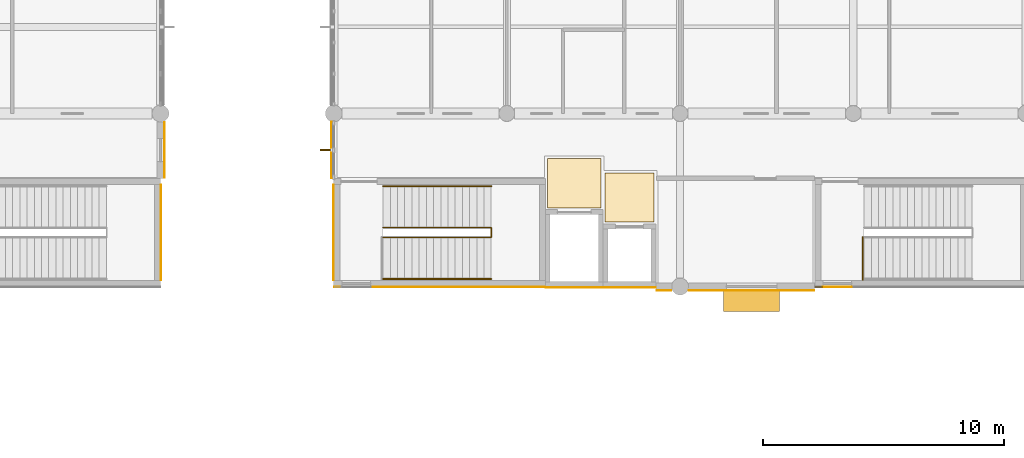
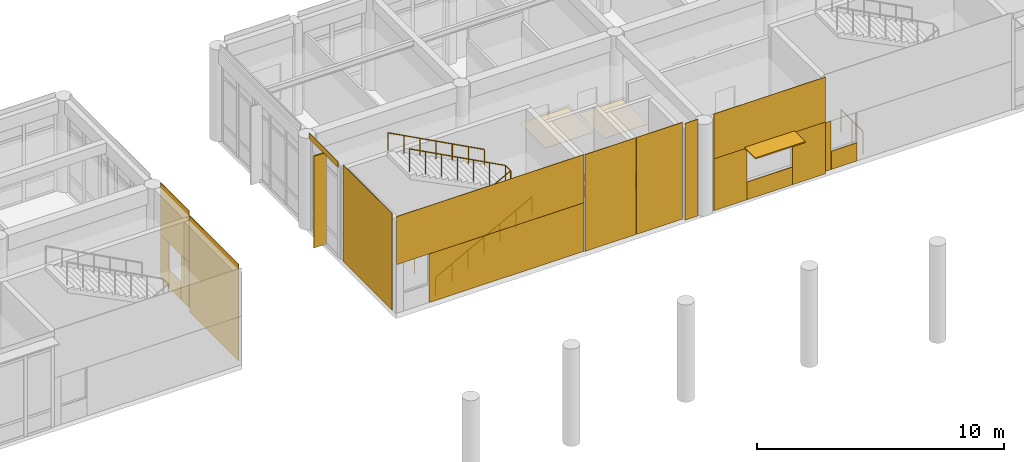
# One storey, part 84 of 92: 22 coverings, 4 railings, 2 shading devices.
"""IFC4 building model written with IfcOpenShell, lengths in metres."""

from ifc_helpers import new_model, si_unit, direction, frame, origin, origin_2d, place, context, subcontext, project, spatial, polyline, rectangle, circle, outline, extrude, material, layer, layer_set, type_object, element, save


model = new_model("IFC4")

# Units and contexts
model_context = context("Model", 3, precision=1e-05, world=origin(), true_north=direction((0.0, 1.0)))
body_context = subcontext(model_context, "Body", "Model", "MODEL_VIEW")
ifc_project = project(units=[si_unit("LENGTHUNIT", "METRE"), si_unit("AREAUNIT", "SQUARE_METRE"), si_unit("VOLUMEUNIT", "CUBIC_METRE"), si_unit("PLANEANGLEUNIT", "RADIAN"), si_unit("MASSUNIT", "GRAM", prefix="KILO")], contexts=[model_context])

# Site, building, storey
site_placement = place(None, origin())
site = spatial("IfcSite", under=ifc_project, at=site_placement, CompositionType="ELEMENT")
building_placement = place(site_placement, origin())
building = spatial("IfcBuilding", under=site, at=building_placement, Name="Namkhue Oval Health Centre", CompositionType="ELEMENT")
storey_placement = place(building_placement, frame((0.0, 0.0, 4.800048828125)))
storey = spatial("IfcBuildingStorey", under=building, at=storey_placement, Name="L01", CompositionType="ELEMENT", Elevation=4.800048828125)

# Coverings
ifc_material_1 = material(Name="Acoustic mineral-fibre cleanroom ceiling", Category="gypsum")
ifc_layer_1 = layer(ifc_material_1, 0.02001953125)
ifc_layer_set_1 = layer_set([ifc_layer_1], Name="Acoustic mineral-fibre cleanroom ceiling")
covering_type_1 = type_object("IfcCoveringType", Name="ACOUSTIC CLEANROOM CEILING 20", PredefinedType="CEILING", material=ifc_layer_set_1)
covering_1_placement = place(storey_placement, frame((0.0, 0.0, 3.050048828125)))
element("IfcCovering", 1, at=covering_1_placement, inside=storey, type_object=covering_type_1, Name="Acoustic Ceiling L01-LL3 Lift Lobby LF-03", PredefinedType="CEILING", context=body_context, shape_type="SweptSolid", body=[
    extrude(outline(polyline([(102.47998046875, 93.280029296875), (102.47998046875, 95.320068359375), (104.719970703125, 95.320068359375), (104.719970703125, 93.280029296875), (102.47998046875, 93.280029296875)])), origin(), (0.0, 0.0, 1.0), 0.02001953125),
])
covering_2_placement = place(storey_placement, frame((0.0, 0.0, 3.050048828125)))
element("IfcCovering", 2, at=covering_2_placement, inside=storey, type_object=covering_type_1, Name="Acoustic Ceiling L01-LL4 Lift Lobby LF-04", PredefinedType="CEILING", context=body_context, shape_type="SweptSolid", body=[
    extrude(outline(polyline([(104.8798828125, 92.679931640625), (104.8798828125, 94.719970703125), (106.919921875, 94.719970703125), (106.919921875, 92.679931640625), (104.8798828125, 92.679931640625)])), origin(), (0.0, 0.0, 1.0), 0.02001953125),
])
ifc_material_2 = material(Name="Homogeneous anti-bacterial clinical vinyl flooring", Category="plastic")
ifc_layer_2 = layer(ifc_material_2, 0.014892578125)
ifc_layer_set_2 = layer_set([ifc_layer_2], Name="Homogeneous anti-bacterial clinical vinyl flooring")
covering_type_2 = type_object("IfcCoveringType", Name="CLINICAL ANTIBACTERIAL VINYL FLOORING 15", PredefinedType="FLOORING", material=ifc_layer_set_2)
covering_3_placement = place(storey_placement, origin())
element("IfcCovering", 3, at=covering_3_placement, inside=storey, type_object=covering_type_2, Name="Clinical Flooring L01-LL3 Lift Lobby LF-03", PredefinedType="FLOORING", context=body_context, shape_type="SweptSolid", body=[
    extrude(outline(polyline([(102.47998046875, 93.280029296875), (102.47998046875, 95.320068359375), (104.719970703125, 95.320068359375), (104.719970703125, 93.280029296875), (102.47998046875, 93.280029296875)])), origin(), (0.0, 0.0, 1.0), 0.014892578125),
])
covering_4_placement = place(storey_placement, origin())
element("IfcCovering", 4, at=covering_4_placement, inside=storey, type_object=covering_type_2, Name="Clinical Flooring L01-LL4 Lift Lobby LF-04", PredefinedType="FLOORING", context=body_context, shape_type="SweptSolid", body=[
    extrude(outline(polyline([(104.8798828125, 92.679931640625), (104.8798828125, 94.719970703125), (106.919921875, 94.719970703125), (106.919921875, 92.679931640625), (104.8798828125, 92.679931640625)])), origin(), (0.0, 0.0, 1.0), 0.014892578125),
])

# Railings
ifc_material_3 = material(Name="Brushed stainless steel 316L balustrade with laminated glass infill", Category="steel")
railing_type_1 = type_object("IfcRailingType", Name="INTERIOR BALUSTRADE GUARD 1150", PredefinedType="BALUSTRADE", material=ifc_material_3)
railing_1_placement = place(storey_placement, frame((95.64990234375, 92.0400390625, 0.0)))
element("IfcRailing", 5, at=railing_1_placement, inside=storey, type_object=railing_type_1, Name="Stair ST-05 L01 Inner Well Guard", PredefinedType="BALUSTRADE", context=body_context, shape_type="SweptSolid", body=[
    extrude(circle(Radius=0.02392578125, at=origin_2d()), frame((0.0, 0.0, 1.1259765625), z_axis=(0.882360891967, 0.0, 0.470573327259), x_axis=(0.0, 1.0, 0.0)), (0.0, 0.0, 1.0), 5.099853515625),
    extrude(circle(Radius=0.02392578125, at=origin_2d()), frame((4.5, 0.0, 3.52587890625), z_axis=(0.0, 1.0, 0.0), x_axis=(-1.0, 0.0, 0.0)), (0.0, 0.0, 1.0), 0.419921875),
    extrude(circle(Radius=0.02392578125, at=origin_2d()), frame((4.5, 0.419921875, 3.52587890625), z_axis=(-0.882341014787, 0.0, 0.470610596591), x_axis=(0.0, -1.0, 0.0)), (0.0, 0.0, 1.0), 5.10009765625),
    extrude(circle(Radius=0.02099609375, at=origin_2d()), origin(), (0.0, 0.0, 1.0), 1.101806640625),
    extrude(circle(Radius=0.02099609375, at=origin_2d()), frame((0.75, 0.0, 0.39990234375)), (0.0, 0.0, 1.0), 1.101806640625),
    extrude(circle(Radius=0.02099609375, at=origin_2d()), frame((1.5, 0.0, 0.800048828125)), (0.0, 0.0, 1.0), 1.101806640625),
    extrude(circle(Radius=0.02099609375, at=origin_2d()), frame((2.25, 0.0, 1.199951171875)), (0.0, 0.0, 1.0), 1.101806640625),
    extrude(circle(Radius=0.02099609375, at=origin_2d()), frame((3.0, 0.0, 1.599853515625)), (0.0, 0.0, 1.0), 1.101806640625),
    extrude(circle(Radius=0.02099609375, at=origin_2d()), frame((3.75, 0.0, 2.0)), (0.0, 0.0, 1.0), 1.101806640625),
    extrude(circle(Radius=0.02099609375, at=origin_2d()), frame((4.5, 0.0, 2.39990234375)), (0.0, 0.0, 1.0), 1.101806640625),
    extrude(circle(Radius=0.02099609375, at=origin_2d()), frame((4.5, 0.419921875, 2.39990234375)), (0.0, 0.0, 1.0), 1.101806640625),
    extrude(circle(Radius=0.02099609375, at=origin_2d()), frame((3.75, 0.419921875, 2.7998046875)), (0.0, 0.0, 1.0), 1.101806640625),
    extrude(circle(Radius=0.02099609375, at=origin_2d()), frame((3.0, 0.419921875, 3.199951171875)), (0.0, 0.0, 1.0), 1.101806640625),
    extrude(circle(Radius=0.02099609375, at=origin_2d()), frame((2.25, 0.419921875, 3.60009765625)), (0.0, 0.0, 1.0), 1.101806640625),
    extrude(circle(Radius=0.02099609375, at=origin_2d()), frame((1.5, 0.419921875, 4.0)), (0.0, 0.0, 1.0), 1.101806640625),
    extrude(circle(Radius=0.02099609375, at=origin_2d()), frame((0.75, 0.419921875, 4.39990234375)), (0.0, 0.0, 1.0), 1.101806640625),
    extrude(circle(Radius=0.02099609375, at=origin_2d()), frame((0.0, 0.419921875, 4.800048828125)), (0.0, 0.0, 1.0), 1.101806640625),
])
railing_2_placement = place(storey_placement, frame((115.60009765625, 90.2900390625, 0.0)))
element("IfcRailing", 6, at=railing_2_placement, inside=storey, type_object=railing_type_1, Name="Stair ST-06 L01 Landing Well Edge Guard", PredefinedType="BALUSTRADE", context=body_context, shape_type="SweptSolid", body=[
    extrude(circle(Radius=0.02392578125, at=origin_2d()), frame((0.0, 0.0, 1.1259765625), z_axis=(0.0, 1.0, 0.0), x_axis=(-1.0, 0.0, 0.0)), (0.0, 0.0, 1.0), 1.77001953125),
    extrude(circle(Radius=0.02099609375, at=origin_2d()), origin(), (0.0, 0.0, 1.0), 1.101806640625),
    extrude(circle(Radius=0.02099609375, at=origin_2d()), frame((0.0, 0.885009765625, 0.0)), (0.0, 0.0, 1.0), 1.101806640625),
    extrude(circle(Radius=0.02099609375, at=origin_2d()), frame((0.0, 1.77001953125, 0.0)), (0.0, 0.0, 1.0), 1.101806640625),
])
ifc_material_4 = material(Name="Brushed stainless steel 304 tubular handrail", Category="steel")
railing_type_2 = type_object("IfcRailingType", Name="INTERIOR STAIR HANDRAIL 900", PredefinedType="HANDRAIL", material=ifc_material_4)
railing_3_placement = place(storey_placement, frame((95.64990234375, 90.320068359375, 0.0)))
element("IfcRailing", 7, at=railing_3_placement, inside=storey, type_object=railing_type_2, Name="Stair ST-05 L01 Flight 1 Handrail", PredefinedType="HANDRAIL", context=body_context, shape_type="SweptSolid", body=[
    extrude(circle(Radius=0.02392578125, at=origin_2d()), frame((0.0, 0.0, 0.8759765625), z_axis=(0.882360891967, 0.0, 0.470573327259), x_axis=(0.0, 1.0, 0.0)), (0.0, 0.0, 1.0), 5.099853515625),
    extrude(circle(Radius=0.02099609375, at=origin_2d()), origin(), (0.0, 0.0, 1.0), 0.851806640625),
    extrude(circle(Radius=0.02099609375, at=origin_2d()), frame((0.75, 0.0, 0.39990234375)), (0.0, 0.0, 1.0), 0.851806640625),
    extrude(circle(Radius=0.02099609375, at=origin_2d()), frame((1.5, 0.0, 0.800048828125)), (0.0, 0.0, 1.0), 0.851806640625),
    extrude(circle(Radius=0.02099609375, at=origin_2d()), frame((2.25, 0.0, 1.199951171875)), (0.0, 0.0, 1.0), 0.851806640625),
    extrude(circle(Radius=0.02099609375, at=origin_2d()), frame((3.0, 0.0, 1.599853515625)), (0.0, 0.0, 1.0), 0.851806640625),
    extrude(circle(Radius=0.02099609375, at=origin_2d()), frame((3.75, 0.0, 2.0)), (0.0, 0.0, 1.0), 0.851806640625),
    extrude(circle(Radius=0.02099609375, at=origin_2d()), frame((4.5, 0.0, 2.39990234375)), (0.0, 0.0, 1.0), 0.851806640625),
])
railing_4_placement = place(storey_placement, frame((100.14990234375, 94.179931640625, 2.39990234375)))
element("IfcRailing", 8, at=railing_4_placement, inside=storey, type_object=railing_type_2, Name="Stair ST-05 L01 Flight 2 Handrail", PredefinedType="HANDRAIL", context=body_context, shape_type="SweptSolid", body=[
    extrude(circle(Radius=0.02392578125, at=origin_2d()), frame((0.0, 0.0, 0.8759765625), z_axis=(-0.882341014787, 0.0, 0.470610596591), x_axis=(0.0, -1.0, 0.0)), (0.0, 0.0, 1.0), 5.10009765625),
    extrude(circle(Radius=0.02099609375, at=origin_2d()), origin(), (0.0, 0.0, 1.0), 0.851806640625),
    extrude(circle(Radius=0.02099609375, at=origin_2d()), frame((-0.75, 0.0, 0.39990234375)), (0.0, 0.0, 1.0), 0.851806640625),
    extrude(circle(Radius=0.02099609375, at=origin_2d()), frame((-1.5, 0.0, 0.800048828125)), (0.0, 0.0, 1.0), 0.851806640625),
    extrude(circle(Radius=0.02099609375, at=origin_2d()), frame((-2.25, 0.0, 1.2001953125)), (0.0, 0.0, 1.0), 0.851806640625),
    extrude(circle(Radius=0.02099609375, at=origin_2d()), frame((-3.0, 0.0, 1.60009765625)), (0.0, 0.0, 1.0), 0.851806640625),
    extrude(circle(Radius=0.02099609375, at=origin_2d()), frame((-3.75, 0.0, 2.0)), (0.0, 0.0, 1.0), 0.851806640625),
    extrude(circle(Radius=0.02099609375, at=origin_2d()), frame((-4.5, 0.0, 2.400146484375)), (0.0, 0.0, 1.0), 0.851806640625),
])

# Shading devices
ifc_material_5 = material(Name="Anodised aluminium EN AW-6063 T6", Category="aluminium")
ifc_layer_3 = layer(ifc_material_5, 0.06005859375)
ifc_layer_set_3 = layer_set([ifc_layer_3], Name="Anodised aluminium EN AW-6063 T6")
shading_device_type_1 = type_object("IfcShadingDeviceType", Name="MONSOON SUN LOUVRE 900", PredefinedType="JALOUSIE", material=ifc_layer_set_3)
shading_device_1_placement = place(storey_placement, frame((110.971435546875, 89.409912109375, 2.579833984375), z_axis=(0.0, 0.0, 1.0), x_axis=(1.0, 0.0, 0.0)))
element("IfcShadingDevice", 9, at=shading_device_1_placement, inside=storey, type_object=shading_device_type_1, Name="Volume V3 L01 Window Monsoon Louvre 130", PredefinedType="JALOUSIE", context=body_context, shape_type="SweptSolid", body=[
    extrude(rectangle(XDim=2.340087890625, YDim=0.89990234375, at=origin_2d()), origin(), (0.0, 0.0, 1.0), 0.06005859375),
])
shading_device_type_2 = type_object("IfcShadingDeviceType", Name="VERTICAL SOLAR FIN 600", PredefinedType="USERDEFINED", material=ifc_material_5)
shading_device_2_placement = place(storey_placement, frame((93.340087890625, 95.678466796875, 0.0), z_axis=(0.0, 0.0, 1.0), x_axis=(-1.0, 0.0, 0.0)))
element("IfcShadingDevice", 10, at=shading_device_2_placement, inside=storey, type_object=shading_device_type_2, Name="Volume V3 L01 Extruded Aluminium Solar Fin 144", ObjectType="SOLAR FIN", PredefinedType="USERDEFINED", context=body_context, shape_type="SweptSolid", body=[
    extrude(rectangle(XDim=0.60009765625, YDim=0.06005859375, at=origin_2d()), origin(), (0.0, 0.0, 1.0), 4.530029296875),
])

# Coverings
ifc_material_6 = material(Name="White glass-fibre reinforced concrete GRC rainscreen cladding", Category="concrete")
ifc_layer_4 = layer(ifc_material_6, 0.02490234375)
ifc_layer_set_4 = layer_set([ifc_layer_4], Name="White glass-fibre reinforced concrete GRC rainscreen cladding")
covering_type_3 = type_object("IfcCoveringType", Name="WHITE GRC RAINSCREEN CLADDING 25", PredefinedType="CLADDING", material=ifc_layer_set_4)
covering_5_placement = place(storey_placement, frame((86.56201171875, 95.678466796875, 2.21484375), z_axis=(0.0, 0.0, 1.0), x_axis=(0.0, 1.0, 0.0)))
element("IfcCovering", 11, at=covering_5_placement, inside=storey, type_object=covering_type_3, Name="Volume V2 L01 Facade 29 White GRC Cladding 1", PredefinedType="CLADDING", context=body_context, shape_type="SweptSolid", body=[
    extrude(rectangle(XDim=2.31298828125, YDim=0.02490234375, at=origin_2d()), origin(), (0.0, 0.0, 1.0), 2.574951171875),
])
covering_6_placement = place(storey_placement, frame((86.56201171875, 94.855224609375, 0.009765625), z_axis=(0.0, 0.0, 1.0), x_axis=(0.0, 1.0, 0.0)))
element("IfcCovering", 12, at=covering_6_placement, inside=storey, type_object=covering_type_3, Name="Volume V2 L01 Facade 29 White GRC Cladding 2", PredefinedType="CLADDING", context=body_context, shape_type="SweptSolid", body=[
    extrude(rectangle(XDim=0.66650390625, YDim=0.02490234375, at=origin_2d()), origin(), (0.0, 0.0, 1.0), 2.199951171875),
])
covering_7_placement = place(storey_placement, frame((86.56201171875, 95.678466796875, 0.010009765625), z_axis=(0.0, 0.0, 1.0), x_axis=(0.0, 1.0, 0.0)))
element("IfcCovering", 13, at=covering_7_placement, inside=storey, type_object=covering_type_3, Name="Volume V2 L01 Facade 29 White GRC Cladding 3", PredefinedType="CLADDING", context=body_context, shape_type="SweptSolid", body=[
    extrude(rectangle(XDim=0.969970703125, YDim=0.02490234375, at=origin_2d()), origin(), (0.0, 0.0, 1.0), 0.875),
])
covering_8_placement = place(storey_placement, frame((86.56201171875, 96.501708984375, 0.009765625), z_axis=(0.0, 0.0, 1.0), x_axis=(0.0, 1.0, 0.0)))
element("IfcCovering", 14, at=covering_8_placement, inside=storey, type_object=covering_type_3, Name="Volume V2 L01 Facade 29 White GRC Cladding 4", PredefinedType="CLADDING", context=body_context, shape_type="SweptSolid", body=[
    extrude(rectangle(XDim=0.66650390625, YDim=0.02490234375, at=origin_2d()), origin(), (0.0, 0.0, 1.0), 2.199951171875),
])
covering_9_placement = place(storey_placement, frame((107.32861328125, 89.843017578125, 0.009765625), z_axis=(0.0, 0.0, 1.0), x_axis=(1.0, 0.0, 0.0)))
element("IfcCovering", 15, at=covering_9_placement, inside=storey, type_object=covering_type_3, Name="Volume V3 L01 Facade 60 White GRC Cladding 1", PredefinedType="CLADDING", context=body_context, shape_type="SweptSolid", body=[
    extrude(rectangle(XDim=0.613037109375, YDim=0.02490234375, at=origin_2d()), origin(), (0.0, 0.0, 1.0), 4.780029296875),
])
covering_10_placement = place(storey_placement, frame((110.971435546875, 89.837890625, 2.57470703125), z_axis=(0.0, 0.0, 1.0), x_axis=(1.0, 0.0, 0.0)))
element("IfcCovering", 16, at=covering_10_placement, inside=storey, type_object=covering_type_3, Name="Volume V3 L01 Facade 61 White GRC Cladding 1", PredefinedType="CLADDING", context=body_context, shape_type="SweptSolid", body=[
    extrude(rectangle(XDim=5.212890625, YDim=0.02490234375, at=origin_2d()), origin(), (0.0, 0.0, 1.0), 2.215087890625),
])
covering_11_placement = place(storey_placement, frame((109.1357421875, 89.837890625, 0.010009765625), z_axis=(0.0, 0.0, 1.0), x_axis=(1.0, 0.0, 0.0)))
element("IfcCovering", 17, at=covering_11_placement, inside=storey, type_object=covering_type_3, Name="Volume V3 L01 Facade 61 White GRC Cladding 2", PredefinedType="CLADDING", context=body_context, shape_type="SweptSolid", body=[
    extrude(rectangle(XDim=1.54150390625, YDim=0.02490234375, at=origin_2d()), origin(), (0.0, 0.0, 1.0), 2.56005859375),
])
covering_12_placement = place(storey_placement, frame((110.971435546875, 89.837890625, 0.010009765625), z_axis=(0.0, 0.0, 1.0), x_axis=(1.0, 0.0, 0.0)))
element("IfcCovering", 18, at=covering_12_placement, inside=storey, type_object=covering_type_3, Name="Volume V3 L01 Facade 61 White GRC Cladding 3", PredefinedType="CLADDING", context=body_context, shape_type="SweptSolid", body=[
    extrude(rectangle(XDim=2.1201171875, YDim=0.02490234375, at=origin_2d()), origin(), (0.0, 0.0, 1.0), 0.875),
])
covering_13_placement = place(storey_placement, frame((112.80712890625, 89.837890625, 0.010009765625), z_axis=(0.0, 0.0, 1.0), x_axis=(1.0, 0.0, 0.0)))
element("IfcCovering", 19, at=covering_13_placement, inside=storey, type_object=covering_type_3, Name="Volume V3 L01 Facade 61 White GRC Cladding 4", PredefinedType="CLADDING", context=body_context, shape_type="SweptSolid", body=[
    extrude(rectangle(XDim=1.54150390625, YDim=0.02490234375, at=origin_2d()), origin(), (0.0, 0.0, 1.0), 2.56005859375),
])
covering_14_placement = place(storey_placement, frame((93.511474609375, 95.678466796875, 4.51513671875), z_axis=(0.0, 0.0, 1.0), x_axis=(0.0, -1.0, 0.0)))
element("IfcCovering", 20, at=covering_14_placement, inside=storey, type_object=covering_type_3, Name="Volume V3 L01 Curtain Wall Spandrel Cladding 110", PredefinedType="CLADDING", context=body_context, shape_type="SweptSolid", body=[
    extrude(rectangle(XDim=2.343017578125, YDim=0.02490234375, at=origin_2d()), origin(), (0.0, 0.0, 1.0), 0.284912109375),
])
covering_15_placement = place(storey_placement, frame((86.412109375, 92.25, 0.009765625), z_axis=(0.0, 0.0, 1.0), x_axis=(0.0, 1.0, 0.0)))
element("IfcCovering", 21, at=covering_15_placement, inside=storey, type_object=covering_type_3, Name="Core SC-04 L01 Core E White GRC Cladding 1", PredefinedType="CLADDING", context=body_context, shape_type="SweptSolid", body=[
    extrude(rectangle(XDim=3.9599609375, YDim=0.02490234375, at=origin_2d()), origin(), (0.0, 0.0, 1.0), 4.780029296875),
])
covering_16_placement = place(storey_placement, frame((98.0, 89.988037109375, 2.4150390625), z_axis=(0.0, 0.0, 1.0), x_axis=(1.0, 0.0, 0.0)))
element("IfcCovering", 22, at=covering_16_placement, inside=storey, type_object=covering_type_3, Name="Core SC-05 L01 Core S White GRC Cladding 1", PredefinedType="CLADDING", context=body_context, shape_type="SweptSolid", body=[
    extrude(rectangle(XDim=8.760009765625, YDim=0.02490234375, at=origin_2d()), origin(), (0.0, 0.0, 1.0), 2.375),
])
covering_17_placement = place(storey_placement, frame((98.762451171875, 89.988037109375, 0.010009765625), z_axis=(0.0, 0.0, 1.0), x_axis=(1.0, 0.0, 0.0)))
element("IfcCovering", 23, at=covering_17_placement, inside=storey, type_object=covering_type_3, Name="Core SC-05 L01 Core S White GRC Cladding 4", PredefinedType="CLADDING", context=body_context, shape_type="SweptSolid", body=[
    extrude(rectangle(XDim=7.235107421875, YDim=0.02490234375, at=origin_2d()), origin(), (0.0, 0.0, 1.0), 2.39990234375),
])
covering_18_placement = place(storey_placement, frame((93.587890625, 92.25, 0.009765625), z_axis=(0.0, 0.0, 1.0), x_axis=(0.0, -1.0, 0.0)))
element("IfcCovering", 24, at=covering_18_placement, inside=storey, type_object=covering_type_3, Name="Core SC-05 L01 Core W White GRC Cladding 1", PredefinedType="CLADDING", context=body_context, shape_type="SweptSolid", body=[
    extrude(rectangle(XDim=3.9599609375, YDim=0.02490234375, at=origin_2d()), origin(), (0.0, 0.0, 1.0), 4.780029296875),
])
covering_19_placement = place(storey_placement, frame((113.777587890625, 89.988037109375, 0.010009765625), z_axis=(0.0, 0.0, 1.0), x_axis=(1.0, 0.0, 0.0)))
element("IfcCovering", 25, at=covering_19_placement, inside=storey, type_object=covering_type_3, Name="Core SC-06 L01 Core S White GRC Cladding 2", PredefinedType="CLADDING", context=body_context, shape_type="SweptSolid", body=[
    extrude(rectangle(XDim=0.31494140625, YDim=0.02490234375, at=origin_2d()), origin(), (0.0, 0.0, 1.0), 2.39990234375),
])
covering_20_placement = place(storey_placement, frame((114.5400390625, 89.988037109375, 0.010009765625), z_axis=(0.0, 0.0, 1.0), x_axis=(1.0, 0.0, 0.0)))
element("IfcCovering", 26, at=covering_20_placement, inside=storey, type_object=covering_type_3, Name="Core SC-06 L01 Core S White GRC Cladding 3", PredefinedType="CLADDING", context=body_context, shape_type="SweptSolid", body=[
    extrude(rectangle(XDim=1.199951171875, YDim=0.02490234375, at=origin_2d()), origin(), (0.0, 0.0, 1.0), 0.89501953125),
])
covering_21_placement = place(storey_placement, frame((103.60009765625, 89.962890625, 0.009765625), z_axis=(0.0, 0.0, 1.0), x_axis=(1.0, 0.0, 0.0)))
element("IfcCovering", 27, at=covering_21_placement, inside=storey, type_object=covering_type_3, Name="Lift LF-03 L01 S White GRC Cladding 1", PredefinedType="CLADDING", context=body_context, shape_type="SweptSolid", body=[
    extrude(rectangle(XDim=2.360107421875, YDim=0.02490234375, at=origin_2d()), origin(), (0.0, 0.0, 1.0), 4.780029296875),
])
covering_22_placement = place(storey_placement, frame((105.89990234375, 89.962890625, 0.009765625), z_axis=(0.0, 0.0, 1.0), x_axis=(1.0, 0.0, 0.0)))
element("IfcCovering", 28, at=covering_22_placement, inside=storey, type_object=covering_type_3, Name="Lift LF-04 L01 S White GRC Cladding 1", PredefinedType="CLADDING", context=body_context, shape_type="SweptSolid", body=[
    extrude(rectangle(XDim=2.159912109375, YDim=0.02490234375, at=origin_2d()), origin(), (0.0, 0.0, 1.0), 4.780029296875),
])

save(model, "model.ifc")
